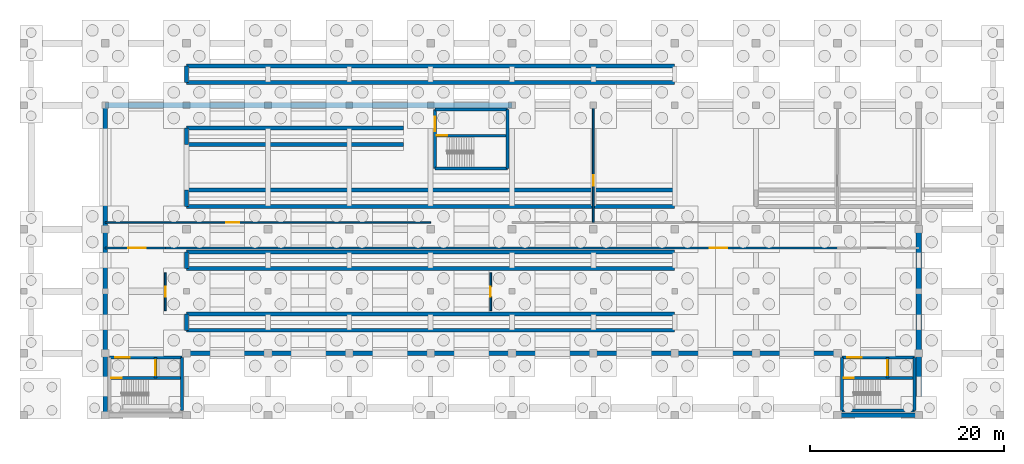
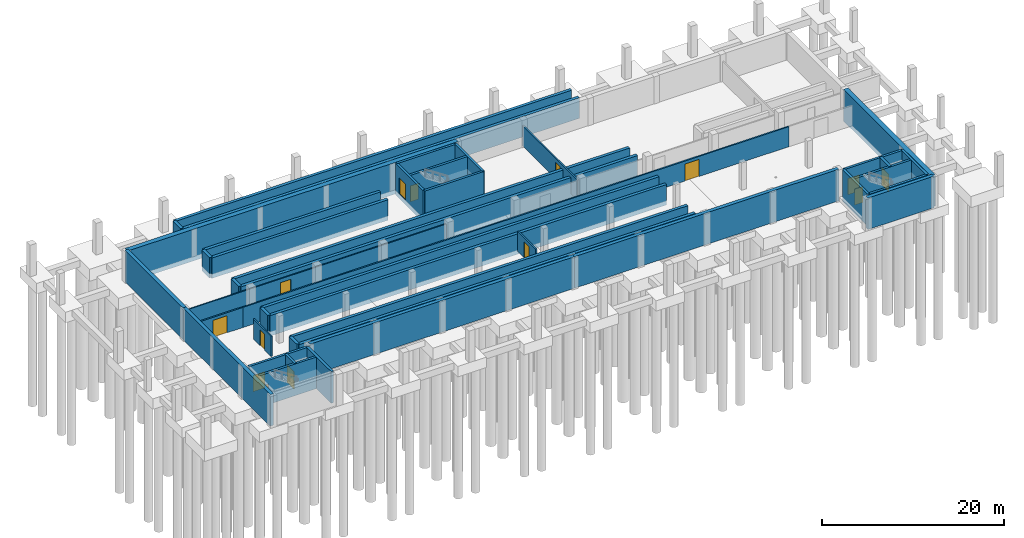
# One storey, part 5 of 9: 43 walls, 14 doors, 14 openings.
"""IFC4 building model written with IfcOpenShell, lengths in metres."""

import ifcopenshell
import ifcopenshell.guid

model = None  # the IFC model being written
_history = None  # IfcOwnerHistory: only IFC2X3 demands one
_inside = {}  # id of a spatial element -> (the spatial element, [elements in it])
_under = {}  # id of a project, library or spatial element -> (it, [spatial elements below it])
_declared = {}  # id of a project -> (the project, [libraries it declares])
_typed = {}  # id of a type object -> (the type object, [elements of that type])
_made_of = {}  # id of a material, layer set ... -> (it, [elements and type objects made of it])


def new_model(schema):
    """Start an empty IFC model of exactly this schema.

    Asked for "IFC4X3", IfcOpenShell would pick the latest addendum, in which some entities
    have other attributes; the version numbers below select the first issue.
    IFC2X3 requires an IfcOwnerHistory on every rooted entity: one is made here for all.
    """
    global model, _history
    if schema == "IFC4X3":
        model = ifcopenshell.file(schema_version=(4, 3, 0, 0))
    else:
        model = ifcopenshell.file(schema=schema)
    _inside.clear()
    _under.clear()
    _declared.clear()
    _typed.clear()
    _made_of.clear()
    _history = None
    if model.schema == "IFC2X3":
        org = make("IfcOrganization", Name="unknown")
        user = make(
            "IfcPersonAndOrganization",
            ThePerson=make("IfcPerson", FamilyName="unknown"),
            TheOrganization=org,
        )
        app = make(
            "IfcApplication",
            ApplicationDeveloper=org,
            Version="unknown",
            ApplicationFullName="unknown",
            ApplicationIdentifier="unknown",
        )
        _history = make(
            "IfcOwnerHistory",
            OwningUser=user,
            OwningApplication=app,
            ChangeAction="ADDED",
            CreationDate=0,
        )
    return model


def make(cls, **values):
    """One entity of the class cls with the attributes given. An attribute that is None is left unset."""
    return model.create_entity(
        cls, **{name: value for name, value in values.items() if value is not None}
    )


def rooted(cls, **values):
    """An entity with a GlobalId (a new one), such as an element, a storey or a relation."""
    return make(cls, GlobalId=ifcopenshell.guid.new(), OwnerHistory=_history, **values)


def si_unit(unit_type, name, prefix=None):
    """IfcSIUnit, for example si_unit("LENGTHUNIT", "METRE", prefix="MILLI")."""
    return make("IfcSIUnit", UnitType=unit_type, Prefix=prefix, Name=name)


def assignment(units):
    """IfcUnitAssignment: the units of a project."""
    return None if units is None else make("IfcUnitAssignment", Units=units)


def point(xyz):
    """IfcCartesianPoint."""
    return None if xyz is None else make("IfcCartesianPoint", Coordinates=xyz)


def direction(xyz):
    """IfcDirection."""
    return None if xyz is None else make("IfcDirection", DirectionRatios=xyz)


def frame(location, z_axis=None, x_axis=None):
    """IfcAxis2Placement3D, a coordinate frame: its origin and axes. An axis left out is left unset."""
    return make(
        "IfcAxis2Placement3D",
        Location=point(location),
        Axis=direction(z_axis),
        RefDirection=direction(x_axis),
    )


def frame_2d(location, x_axis=None):
    """IfcAxis2Placement2D, a coordinate frame in the plane: its origin and x axis."""
    return make(
        "IfcAxis2Placement2D", Location=point(location), RefDirection=direction(x_axis)
    )


def origin():
    """The frame at (0, 0, 0) with its axes left unset."""
    return frame((0.0, 0.0, 0.0))


def place(relative_to, where):
    """IfcLocalPlacement: puts the frame where relative to a parent placement (None: the world)."""
    return make(
        "IfcLocalPlacement", PlacementRelTo=relative_to, RelativePlacement=where
    )


def context(
    kind, dimensions, precision=None, world=None, true_north=None, identifier=None
):
    """IfcGeometricRepresentationContext, for example the 3D "Model" context."""
    return make(
        "IfcGeometricRepresentationContext",
        ContextIdentifier=identifier,
        ContextType=kind,
        CoordinateSpaceDimension=dimensions,
        Precision=precision,
        WorldCoordinateSystem=world,
        TrueNorth=true_north,
    )


def subcontext(parent, identifier, kind, view, scale=None):
    """IfcGeometricRepresentationSubContext, for example "Body" below "Model"."""
    return make(
        "IfcGeometricRepresentationSubContext",
        ContextIdentifier=identifier,
        ContextType=kind,
        ParentContext=parent,
        TargetScale=scale,
        TargetView=view,
    )


def project(units=None, contexts=None):
    """IfcProject with its units and contexts."""
    return rooted(
        "IfcProject",
        Name="project",
        RepresentationContexts=contexts,
        UnitsInContext=assignment(units),
    )


def spatial(cls, under=None, at=None, **own):
    """A site, building, storey or space (cls), placed at a placement, below another one or the project."""
    s = rooted(cls, ObjectPlacement=at, **own)
    if under is not None:
        _under.setdefault(under.id(), (under, []))[1].append(s)
    return s


def profile(cls, at=None, kind="AREA", **sizes):
    """A parametric profile (cls). Its sizes go by their IFC names, for example OverallWidth=200.0."""
    return make(cls, ProfileType=kind, Position=at, **sizes)


def rectangle(**sizes):
    """IfcRectangleProfileDef."""
    return profile("IfcRectangleProfileDef", **sizes)


def extrude(swept, where, along, depth):
    """IfcExtrudedAreaSolid: the profile swept, set in the frame where, extruded along a direction by depth."""
    return make(
        "IfcExtrudedAreaSolid",
        SweptArea=swept,
        Position=where,
        ExtrudedDirection=direction(along),
        Depth=depth,
    )


def shape(context_of_items, identifier, shape_type, items):
    """IfcShapeRepresentation: the items that make up one representation, for example the "Body"."""
    return make(
        "IfcShapeRepresentation",
        ContextOfItems=context_of_items,
        RepresentationIdentifier=identifier,
        RepresentationType=shape_type,
        Items=items,
    )


def material(Name=None, Category=None):
    """IfcMaterial."""
    return make("IfcMaterial", Name=Name, Category=Category)


def layer(
    of_material, thickness, ventilated=None, Name=None, Category=None, Priority=None
):
    """IfcMaterialLayer: one layer of a wall or slab, of a material (None: an air gap)."""
    return make(
        "IfcMaterialLayer",
        Material=of_material,
        LayerThickness=thickness,
        IsVentilated=ventilated,
        Name=Name,
        Category=Category,
        Priority=Priority,
    )


def layer_set(layers, Name=None):
    """IfcMaterialLayerSet."""
    return make("IfcMaterialLayerSet", MaterialLayers=layers, LayerSetName=Name)


def made_of(thing, what):
    """Note that an element or type object is made of a material, layer set ...; save() writes the relation."""
    if what is not None:
        _made_of.setdefault(what.id(), (what, []))[1].append(thing)
    return thing


def type_object(cls, material=None, **own):
    """A type object (cls), such as IfcWallType, which elements share."""
    return made_of(rooted(cls, **own), material)


def element(
    cls,
    number,
    at=None,
    inside=None,
    cuts=None,
    type_object=None,
    material=None,
    context=None,
    identifier="Body",
    shape_type=None,
    held_by="IfcProductDefinitionShape",
    body=None,
    shapes=None,
    **own,
):
    """One element of the class cls, such as IfcWall. Its Tag is "e" and its number.

    at: its placement. inside: the storey or other place that contains it. cuts: it is an
    opening in that element (IfcRelVoidsElement). A single representation is given by context,
    identifier, shape_type and body (its items); several are given by shapes. held_by: the class
    of the entity that holds the representations. save() writes the other relations.
    """
    e = rooted(cls, Tag="e%d" % number, ObjectPlacement=at, **own)
    if body is not None:
        shapes = [shape(context, identifier, shape_type, body)]
    if shapes is not None:
        e.Representation = make(held_by, Representations=shapes)
    if inside is not None:
        _inside.setdefault(inside.id(), (inside, []))[1].append(e)
    if cuts is not None:
        rooted(
            "IfcRelVoidsElement", RelatingBuildingElement=cuts, RelatedOpeningElement=e
        )
    if type_object is not None:
        _typed.setdefault(type_object.id(), (type_object, []))[1].append(e)
    return made_of(e, material)


def fill(opening, filler):
    """IfcRelFillsElement: the door or window that sits in an opening."""
    return rooted(
        "IfcRelFillsElement",
        RelatingOpeningElement=opening,
        RelatedBuildingElement=filler,
    )


def aggregate(whole, parts):
    """IfcRelAggregates: a whole, such as a stair, and the parts it consists of."""
    return rooted("IfcRelAggregates", RelatingObject=whole, RelatedObjects=parts)


def save(model, path):
    """Write the relations noted so far, then the file.

    IfcRelAggregates (storeys below a building ...), IfcRelContainedInSpatialStructure (elements
    in a storey), IfcRelDefinesByType, IfcRelAssociatesMaterial and IfcRelDeclares: one each for
    every whole, place, type object, material and project.
    """
    for whole, parts in _under.values():
        aggregate(whole, parts)
    for where, things in _inside.values():
        rooted(
            "IfcRelContainedInSpatialStructure",
            RelatedElements=things,
            RelatingStructure=where,
        )
    for kind, things in _typed.values():
        rooted("IfcRelDefinesByType", RelatedObjects=things, RelatingType=kind)
    for what, things in _made_of.values():
        rooted("IfcRelAssociatesMaterial", RelatedObjects=things, RelatingMaterial=what)
    for by, libraries in _declared.values():
        rooted("IfcRelDeclares", RelatingContext=by, RelatedDefinitions=libraries)
    model.write(path)


model = new_model("IFC4")

# Units and contexts
model_context = context("Model", 3, precision=1e-05, world=origin(), true_north=direction((0.0, 1.0)))
body_context = subcontext(model_context, "Body", "Model", "MODEL_VIEW")
ifc_project = project(units=[si_unit("LENGTHUNIT", "METRE"), si_unit("AREAUNIT", "SQUARE_METRE"), si_unit("VOLUMEUNIT", "CUBIC_METRE"), si_unit("PLANEANGLEUNIT", "RADIAN"), si_unit("MASSUNIT", "GRAM", prefix="KILO")], contexts=[model_context])

# Site, building, storey
site_placement = place(None, origin())
site = spatial("IfcSite", under=ifc_project, at=site_placement, CompositionType="ELEMENT")
building_placement = place(site_placement, origin())
building = spatial("IfcBuilding", under=site, at=building_placement, Name="Kazenagashi Tramway Depot", CompositionType="ELEMENT")
storey_placement = place(building_placement, frame((0.0, 0.0, -4.0)))
storey = spatial("IfcBuildingStorey", under=building, at=storey_placement, Name="B01", CompositionType="ELEMENT", Elevation=-4.0)

# Walls
ifc_material_1 = material(Name="Concrete Fc36", Category="concrete")
ifc_layer_1 = layer(ifc_material_1, 0.45)
ifc_layer_set_1 = layer_set([ifc_layer_1], Name="Concrete Fc36")
wall_type_1 = type_object("IfcWallType", Name="RW-01", PredefinedType="USERDEFINED", material=ifc_layer_set_1)
for number, where, z_axis, x_axis, name in (
    (1, (61.6, 22.9, -0.6), (0.0, 0.0, 1.0), (1.0, 0.0, 0.0), "Basement Retaining Wall RW-S1"),
    (2, (95.2, 22.9, -0.6), (0.0, 0.0, 1.0), (1.0, 0.0, 0.0), "Basement Retaining Wall RW-S2"),
):
    element("IfcWall", number, at=place(storey_placement, frame(where, z_axis=z_axis, x_axis=x_axis)), inside=storey, type_object=wall_type_1, Name=name, ObjectType="RETAININGWALL", PredefinedType="USERDEFINED", context=body_context, shape_type="SweptSolid", body=[
        extrude(rectangle(XDim=33.6, YDim=0.45, at=frame_2d((16.8, 0.0))), origin(), (0.0, 0.0, 1.0), 4.25),
    ])
wall_1_placement = place(storey_placement, frame((128.8, 16.5, -0.6), z_axis=(0.0, 0.0, 1.0), x_axis=(1.0, 0.0, 0.0)))
element("IfcWall", 3, at=wall_1_placement, inside=storey, type_object=wall_type_1, Name="Basement Retaining Wall RW-S0E", ObjectType="RETAININGWALL", PredefinedType="USERDEFINED", context=body_context, shape_type="SweptSolid", body=[
    extrude(rectangle(XDim=8.4, YDim=0.45, at=frame_2d((4.2, 0.0))), origin(), (0.0, 0.0, 1.0), 4.25),
])
wall_2_placement = place(storey_placement, frame((53.2, 16.5, -0.6), z_axis=(0.0, 0.0, 1.0), x_axis=(0.0, 1.0, 0.0)))
element("IfcWall", 4, at=wall_2_placement, inside=storey, type_object=wall_type_1, Name="Basement Retaining Wall RW-W1", ObjectType="RETAININGWALL", PredefinedType="USERDEFINED", context=body_context, shape_type="SweptSolid", body=[
    extrude(rectangle(XDim=19.2, YDim=0.45, at=frame_2d((9.6, 0.0))), origin(), (0.0, 0.0, 1.0), 4.25),
])
wall_3_placement = place(storey_placement, frame((53.2, 35.7, -0.6), z_axis=(0.0, 0.0, 1.0), x_axis=(0.0, 1.0, 0.0)))
element("IfcWall", 5, at=wall_3_placement, inside=storey, type_object=wall_type_1, Name="Basement Retaining Wall RW-W2", ObjectType="RETAININGWALL", PredefinedType="USERDEFINED", context=body_context, shape_type="SweptSolid", body=[
    extrude(rectangle(XDim=12.8, YDim=0.45, at=frame_2d((6.4, 0.0))), origin(), (0.0, 0.0, 1.0), 4.25),
])
ifc_layer_2 = layer(ifc_material_1, 0.6)
ifc_layer_set_2 = layer_set([ifc_layer_2], Name="Concrete Fc36")
wall_type_2 = type_object("IfcWallType", Name="RW-02", PredefinedType="USERDEFINED", material=ifc_layer_set_2)
wall_4_placement = place(storey_placement, frame((53.2, 48.5, -0.6), z_axis=(0.0, 0.0, 1.0), x_axis=(1.0, 0.0, 0.0)))
element("IfcWall", 6, at=wall_4_placement, inside=storey, type_object=wall_type_2, Name="Basement Retaining Wall RW-N1", ObjectType="RETAININGWALL", PredefinedType="USERDEFINED", context=body_context, shape_type="SweptSolid", body=[
    extrude(rectangle(XDim=42.0, YDim=0.6, at=frame_2d((21.0, 0.0))), origin(), (0.0, 0.0, 1.0), 4.25),
])
wall_5_placement = place(storey_placement, frame((137.2, 16.5, -0.6), z_axis=(0.0, 0.0, 1.0), x_axis=(0.0, 1.0, 0.0)))
element("IfcWall", 7, at=wall_5_placement, inside=storey, type_object=wall_type_2, Name="Basement Retaining Wall RW-E1", ObjectType="RETAININGWALL", PredefinedType="USERDEFINED", context=body_context, shape_type="SweptSolid", body=[
    extrude(rectangle(XDim=19.2, YDim=0.6, at=frame_2d((9.6, 0.0))), origin(), (0.0, 0.0, 1.0), 4.25),
])
ifc_layer_3 = layer(ifc_material_1, 0.38)
ifc_layer_set_3 = layer_set([ifc_layer_3], Name="Concrete Fc36")
wall_type_3 = type_object("IfcWallType", Name="RW-03", PredefinedType="USERDEFINED", material=ifc_layer_set_3)
for number, where, z_axis, x_axis, name in (
    (8, (61.6, 25.25, -0.6), (0.0, 0.0, 1.0), (1.0, 0.0, 0.0), "Tram Periodic Inspection Pit 1 Substructure Wall 1"),
    (9, (61.6, 26.95, -0.6), (0.0, 0.0, 1.0), (1.0, 0.0, 0.0), "Tram Periodic Inspection Pit 1 Substructure Wall 2"),
):
    element("IfcWall", number, at=place(storey_placement, frame(where, z_axis=z_axis, x_axis=x_axis)), inside=storey, type_object=wall_type_3, Name=name, ObjectType="RETAININGWALL", PredefinedType="USERDEFINED", context=body_context, shape_type="SweptSolid", body=[
        extrude(rectangle(XDim=50.4, YDim=0.38, at=frame_2d((25.2, 0.0))), origin(), (0.0, 0.0, 1.0), 2.75),
    ])
wall_6_placement = place(storey_placement, frame((61.6, 25.25, -0.6), z_axis=(0.0, 0.0, 1.0), x_axis=(0.0, 1.0, 0.0)))
element("IfcWall", 10, at=wall_6_placement, inside=storey, type_object=wall_type_3, Name="Tram Periodic Inspection Pit 1 Substructure End Wall", ObjectType="RETAININGWALL", PredefinedType="USERDEFINED", context=body_context, shape_type="SweptSolid", body=[
    extrude(rectangle(XDim=1.7, YDim=0.38, at=frame_2d((0.85, 0.0))), origin(), (0.0, 0.0, 1.0), 2.75),
])
for number, where, z_axis, x_axis, name in (
    (11, (61.6, 31.65, -0.6), (0.0, 0.0, 1.0), (1.0, 0.0, 0.0), "Tram Periodic Inspection Pit 2 Substructure Wall 1"),
    (12, (61.6, 33.35, -0.6), (0.0, 0.0, 1.0), (1.0, 0.0, 0.0), "Tram Periodic Inspection Pit 2 Substructure Wall 2"),
):
    element("IfcWall", number, at=place(storey_placement, frame(where, z_axis=z_axis, x_axis=x_axis)), inside=storey, type_object=wall_type_3, Name=name, ObjectType="RETAININGWALL", PredefinedType="USERDEFINED", context=body_context, shape_type="SweptSolid", body=[
        extrude(rectangle(XDim=50.4, YDim=0.38, at=frame_2d((25.2, 0.0))), origin(), (0.0, 0.0, 1.0), 2.75),
    ])
wall_7_placement = place(storey_placement, frame((61.6, 31.65, -0.6), z_axis=(0.0, 0.0, 1.0), x_axis=(0.0, 1.0, 0.0)))
element("IfcWall", 13, at=wall_7_placement, inside=storey, type_object=wall_type_3, Name="Tram Periodic Inspection Pit 2 Substructure End Wall", ObjectType="RETAININGWALL", PredefinedType="USERDEFINED", context=body_context, shape_type="SweptSolid", body=[
    extrude(rectangle(XDim=1.7, YDim=0.38, at=frame_2d((0.85, 0.0))), origin(), (0.0, 0.0, 1.0), 2.75),
])
for number, where, z_axis, x_axis, name in (
    (14, (61.6, 38.05, -0.6), (0.0, 0.0, 1.0), (1.0, 0.0, 0.0), "Tram Periodic Inspection Pit 3 Substructure Wall 1"),
    (15, (61.6, 39.75, -0.6), (0.0, 0.0, 1.0), (1.0, 0.0, 0.0), "Tram Periodic Inspection Pit 3 Substructure Wall 2"),
):
    element("IfcWall", number, at=place(storey_placement, frame(where, z_axis=z_axis, x_axis=x_axis)), inside=storey, type_object=wall_type_3, Name=name, ObjectType="RETAININGWALL", PredefinedType="USERDEFINED", context=body_context, shape_type="SweptSolid", body=[
        extrude(rectangle(XDim=50.4, YDim=0.38, at=frame_2d((25.2, 0.0))), origin(), (0.0, 0.0, 1.0), 2.75),
    ])
wall_8_placement = place(storey_placement, frame((61.6, 38.05, -0.6), z_axis=(0.0, 0.0, 1.0), x_axis=(0.0, 1.0, 0.0)))
element("IfcWall", 16, at=wall_8_placement, inside=storey, type_object=wall_type_3, Name="Tram Periodic Inspection Pit 3 Substructure End Wall", ObjectType="RETAININGWALL", PredefinedType="USERDEFINED", context=body_context, shape_type="SweptSolid", body=[
    extrude(rectangle(XDim=1.7, YDim=0.38, at=frame_2d((0.85, 0.0))), origin(), (0.0, 0.0, 1.0), 2.75),
])
for number, where, z_axis, x_axis, name in (
    (17, (61.6, 44.45, -0.6), (0.0, 0.0, 1.0), (1.0, 0.0, 0.0), "Tram Periodic Inspection Pit 4 Substructure Wall 1"),
    (18, (61.6, 46.15, -0.6), (0.0, 0.0, 1.0), (1.0, 0.0, 0.0), "Tram Periodic Inspection Pit 4 Substructure Wall 2"),
):
    element("IfcWall", number, at=place(storey_placement, frame(where, z_axis=z_axis, x_axis=x_axis)), inside=storey, type_object=wall_type_3, Name=name, ObjectType="RETAININGWALL", PredefinedType="USERDEFINED", context=body_context, shape_type="SweptSolid", body=[
        extrude(rectangle(XDim=22.4, YDim=0.38, at=frame_2d((11.2, 0.0))), origin(), (0.0, 0.0, 1.0), 2.75),
    ])
wall_9_placement = place(storey_placement, frame((61.6, 44.45, -0.6), z_axis=(0.0, 0.0, 1.0), x_axis=(0.0, 1.0, 0.0)))
element("IfcWall", 19, at=wall_9_placement, inside=storey, type_object=wall_type_3, Name="Tram Periodic Inspection Pit 4 Substructure End Wall", ObjectType="RETAININGWALL", PredefinedType="USERDEFINED", context=body_context, shape_type="SweptSolid", body=[
    extrude(rectangle(XDim=1.7, YDim=0.38, at=frame_2d((0.85, 0.0))), origin(), (0.0, 0.0, 1.0), 2.75),
])
for number, where, z_axis, x_axis, name in (
    (20, (61.6, 50.85, -0.6), (0.0, 0.0, 1.0), (1.0, 0.0, 0.0), "Tram Periodic Inspection Pit 5 Substructure Wall 1"),
    (21, (61.6, 52.55, -0.6), (0.0, 0.0, 1.0), (1.0, 0.0, 0.0), "Tram Periodic Inspection Pit 5 Substructure Wall 2"),
):
    element("IfcWall", number, at=place(storey_placement, frame(where, z_axis=z_axis, x_axis=x_axis)), inside=storey, type_object=wall_type_3, Name=name, ObjectType="RETAININGWALL", PredefinedType="USERDEFINED", context=body_context, shape_type="SweptSolid", body=[
        extrude(rectangle(XDim=50.4, YDim=0.38, at=frame_2d((25.2, 0.0))), origin(), (0.0, 0.0, 1.0), 2.75),
    ])
wall_10_placement = place(storey_placement, frame((61.6, 50.85, -0.6), z_axis=(0.0, 0.0, 1.0), x_axis=(0.0, 1.0, 0.0)))
element("IfcWall", 22, at=wall_10_placement, inside=storey, type_object=wall_type_3, Name="Tram Periodic Inspection Pit 5 Substructure End Wall", ObjectType="RETAININGWALL", PredefinedType="USERDEFINED", context=body_context, shape_type="SweptSolid", body=[
    extrude(rectangle(XDim=1.7, YDim=0.38, at=frame_2d((0.85, 0.0))), origin(), (0.0, 0.0, 1.0), 2.75),
])

# Wall, opening, door
ifc_material_2 = material(Name="Gypsum Plasterboard Partition", Category="gypsum")
ifc_layer_4 = layer(ifc_material_2, 0.15)
ifc_layer_set_4 = layer_set([ifc_layer_4], Name="Gypsum Plasterboard Partition")
wall_type_4 = type_object("IfcWallType", Name="W-PT1", PredefinedType="PARTITIONING", material=ifc_layer_set_4)
wall_11_placement = place(storey_placement, frame((53.2, 36.4, 0.0), z_axis=(0.0, 0.0, 1.0), x_axis=(1.0, 0.0, 0.0)))
wall_11 = element("IfcWall", 23, at=wall_11_placement, inside=storey, type_object=wall_type_4, Name="Interior Partition W-PT1 IWALL-0242", PredefinedType="PARTITIONING", context=body_context, shape_type="SweptSolid", body=[
    extrude(rectangle(XDim=33.6, YDim=0.15, at=frame_2d((16.8, 0.0))), origin(), (0.0, 0.0, 1.0), 2.7),
])
opening_1_placement = place(wall_11_placement, frame((12.5, 0.0, 0.0)))
opening_1 = element("IfcOpeningElement", 24, at=opening_1_placement, cuts=wall_11, Name="Opening D-135", PredefinedType="OPENING", context=body_context, shape_type="SweptSolid", body=[
    extrude(rectangle(XDim=1.35, YDim=2.2, at=frame_2d((0.675, 1.1))), frame((0.0, 0.085, 0.0), z_axis=(0.0, -1.0, 0.0), x_axis=(1.0, 0.0, 0.0)), (0.0, 0.0, 1.0), 0.17),
])
ifc_material_3 = material(Name="Powder-Coated Steel Door", Category="steel")
door_type_1 = type_object("IfcDoorType", Name="DT-15", OperationType="NOTDEFINED", PredefinedType="DOOR", material=ifc_material_3)
door_1_placement = place(opening_1_placement, origin())
door_1 = element("IfcDoor", 25, at=door_1_placement, inside=storey, type_object=door_type_1, Name="Interior Door D-135", OperationType="DOUBLE_DOOR_SINGLE_SWING", OverallHeight=2.2, OverallWidth=1.35, PredefinedType="DOOR", context=body_context, shape_type="SweptSolid", body=[
    extrude(rectangle(XDim=1.35, YDim=2.2, at=frame_2d((0.675, 1.1))), frame((0.0, 0.025, 0.0), z_axis=(0.0, -1.0, 0.0), x_axis=(1.0, 0.0, 0.0)), (0.0, 0.0, 1.0), 0.05),
])
fill(opening_1, door_1)

ifc_layer_5 = layer(ifc_material_2, 0.18)
ifc_layer_set_5 = layer_set([ifc_layer_5], Name="Gypsum Plasterboard Partition")
wall_type_5 = type_object("IfcWallType", Name="W-PT4", PredefinedType="PARTITIONING", material=ifc_layer_set_5)
wall_12_placement = place(storey_placement, frame((53.2, 33.75, 0.0), z_axis=(0.0, 0.0, 1.0), x_axis=(1.0, 0.0, 0.0)))
wall_12 = element("IfcWall", 26, at=wall_12_placement, inside=storey, type_object=wall_type_5, Name="Interior Partition W-PT4 IWALL-0237", PredefinedType="PARTITIONING", context=body_context, shape_type="SweptSolid", body=[
    extrude(rectangle(XDim=6.2, YDim=0.18, at=frame_2d((3.1, 0.0))), origin(), (0.0, 0.0, 1.0), 2.7),
])
opening_2_placement = place(wall_12_placement, frame((2.4, 0.0, 0.0)))
opening_2 = element("IfcOpeningElement", 27, at=opening_2_placement, cuts=wall_12, Name="Opening D-130", PredefinedType="OPENING", context=body_context, shape_type="SweptSolid", body=[
    extrude(rectangle(XDim=1.8, YDim=2.3, at=frame_2d((0.9, 1.15))), frame((0.0, 0.1, 0.0), z_axis=(0.0, -1.0, 0.0), x_axis=(1.0, 0.0, 0.0)), (0.0, 0.0, 1.0), 0.2),
])
ifc_material_4 = material(Name="Galvanised Fire-Rated Steel Door", Category="steel")
door_type_2 = type_object("IfcDoorType", Name="DT-08", OperationType="NOTDEFINED", PredefinedType="DOOR", material=ifc_material_4)
door_2_placement = place(opening_2_placement, origin())
door_2 = element("IfcDoor", 28, at=door_2_placement, inside=storey, type_object=door_type_2, Name="Interior Door D-130", OperationType="DOUBLE_DOOR_SINGLE_SWING", OverallHeight=2.3, OverallWidth=1.8, PredefinedType="DOOR", context=body_context, shape_type="SweptSolid", body=[
    extrude(rectangle(XDim=1.8, YDim=2.3, at=frame_2d((0.9, 1.15))), frame((0.0, 0.025, 0.0), z_axis=(0.0, -1.0, 0.0), x_axis=(1.0, 0.0, 0.0)), (0.0, 0.0, 1.0), 0.05),
])
fill(opening_2, door_2)

wall_13_placement = place(storey_placement, frame((59.4, 33.75, 0.0), z_axis=(0.0, 0.0, 1.0), x_axis=(1.0, 0.0, 0.0)))
wall_13 = element("IfcWall", 29, at=wall_13_placement, inside=storey, type_object=wall_type_5, Name="Interior Partition W-PT4 IWALL-0238", PredefinedType="PARTITIONING", context=body_context, shape_type="SweptSolid", body=[
    extrude(rectangle(XDim=69.4, YDim=0.18, at=frame_2d((34.7, 0.0))), origin(), (0.0, 0.0, 1.0), 2.7),
])
opening_3_placement = place(wall_13_placement, frame((56.2, 0.0, 0.0)))
opening_3 = element("IfcOpeningElement", 30, at=opening_3_placement, cuts=wall_13, Name="Opening D-131", PredefinedType="OPENING", context=body_context, shape_type="SweptSolid", body=[
    extrude(rectangle(XDim=1.8, YDim=2.3, at=frame_2d((0.9, 1.15))), frame((0.0, 0.1, 0.0), z_axis=(0.0, -1.0, 0.0), x_axis=(1.0, 0.0, 0.0)), (0.0, 0.0, 1.0), 0.2),
])
door_3_placement = place(opening_3_placement, origin())
door_3 = element("IfcDoor", 31, at=door_3_placement, inside=storey, type_object=door_type_2, Name="Interior Door D-131", OperationType="DOUBLE_DOOR_SINGLE_SWING", OverallHeight=2.3, OverallWidth=1.8, PredefinedType="DOOR", context=body_context, shape_type="SweptSolid", body=[
    extrude(rectangle(XDim=1.8, YDim=2.3, at=frame_2d((0.9, 1.15))), frame((0.0, 0.025, 0.0), z_axis=(0.0, -1.0, 0.0), x_axis=(1.0, 0.0, 0.0)), (0.0, 0.0, 1.0), 0.05),
])
fill(opening_3, door_3)

wall_14_placement = place(storey_placement, frame((59.4, 27.3, 0.0), z_axis=(0.0, 0.0, 1.0), x_axis=(0.0, 1.0, 0.0)))
wall_14 = element("IfcWall", 32, at=wall_14_placement, inside=storey, type_object=wall_type_5, Name="Interior Partition W-PT4 IWALL-0240", PredefinedType="PARTITIONING", context=body_context, shape_type="SweptSolid", body=[
    extrude(rectangle(XDim=3.9, YDim=0.18, at=frame_2d((1.95, 0.0))), origin(), (0.0, 0.0, 1.0), 2.7),
])
opening_4_placement = place(wall_14_placement, frame((1.4, 0.0, 0.0)))
opening_4 = element("IfcOpeningElement", 33, at=opening_4_placement, cuts=wall_14, Name="Opening D-133", PredefinedType="OPENING", context=body_context, shape_type="SweptSolid", body=[
    extrude(rectangle(XDim=1.05, YDim=2.15, at=frame_2d((0.525, 1.075))), frame((0.0, 0.1, 0.0), z_axis=(0.0, -1.0, 0.0), x_axis=(1.0, 0.0, 0.0)), (0.0, 0.0, 1.0), 0.2),
])
door_type_3 = type_object("IfcDoorType", Name="DT-07", OperationType="NOTDEFINED", PredefinedType="DOOR", material=ifc_material_4)
door_4_placement = place(opening_4_placement, origin())
door_4 = element("IfcDoor", 34, at=door_4_placement, inside=storey, type_object=door_type_3, Name="Interior Door D-133", OperationType="SINGLE_SWING_RIGHT", OverallHeight=2.15, OverallWidth=1.05, PredefinedType="DOOR", context=body_context, shape_type="SweptSolid", body=[
    extrude(rectangle(XDim=1.05, YDim=2.15, at=frame_2d((0.525, 1.075))), frame((0.0, 0.025, 0.0), z_axis=(0.0, -1.0, 0.0), x_axis=(1.0, 0.0, 0.0)), (0.0, 0.0, 1.0), 0.05),
])
fill(opening_4, door_4)

wall_15_placement = place(storey_placement, frame((93.0, 27.3, 0.0), z_axis=(0.0, 0.0, 1.0), x_axis=(0.0, 1.0, 0.0)))
wall_15 = element("IfcWall", 35, at=wall_15_placement, inside=storey, type_object=wall_type_5, Name="Interior Partition W-PT4 IWALL-0241", PredefinedType="PARTITIONING", context=body_context, shape_type="SweptSolid", body=[
    extrude(rectangle(XDim=3.9, YDim=0.18, at=frame_2d((1.95, 0.0))), origin(), (0.0, 0.0, 1.0), 2.7),
])
opening_5_placement = place(wall_15_placement, frame((1.4, 0.0, 0.0)))
opening_5 = element("IfcOpeningElement", 36, at=opening_5_placement, cuts=wall_15, Name="Opening D-134", PredefinedType="OPENING", context=body_context, shape_type="SweptSolid", body=[
    extrude(rectangle(XDim=1.05, YDim=2.15, at=frame_2d((0.525, 1.075))), frame((0.0, 0.1, 0.0), z_axis=(0.0, -1.0, 0.0), x_axis=(1.0, 0.0, 0.0)), (0.0, 0.0, 1.0), 0.2),
])
door_5_placement = place(opening_5_placement, origin())
door_5 = element("IfcDoor", 37, at=door_5_placement, inside=storey, type_object=door_type_3, Name="Interior Door D-134", OperationType="SINGLE_SWING_LEFT", OverallHeight=2.15, OverallWidth=1.05, PredefinedType="DOOR", context=body_context, shape_type="SweptSolid", body=[
    extrude(rectangle(XDim=1.05, YDim=2.15, at=frame_2d((0.525, 1.075))), frame((0.0, 0.025, 0.0), z_axis=(0.0, -1.0, 0.0), x_axis=(1.0, 0.0, 0.0)), (0.0, 0.0, 1.0), 0.05),
])
fill(opening_5, door_5)

wall_16_placement = place(storey_placement, frame((103.6, 36.4, 0.0), z_axis=(0.0, 0.0, 1.0), x_axis=(0.0, 1.0, 0.0)))
wall_16 = element("IfcWall", 38, at=wall_16_placement, inside=storey, type_object=wall_type_5, Name="Interior Partition W-PT4 IWALL-0244", PredefinedType="PARTITIONING", context=body_context, shape_type="SweptSolid", body=[
    extrude(rectangle(XDim=12.1, YDim=0.18, at=frame_2d((6.05, 0.0))), origin(), (0.0, 0.0, 1.0), 2.7),
])
opening_6_placement = place(wall_16_placement, frame((3.8, 0.0, 0.0)))
opening_6 = element("IfcOpeningElement", 39, at=opening_6_placement, cuts=wall_16, Name="Opening D-139", PredefinedType="OPENING", context=body_context, shape_type="SweptSolid", body=[
    extrude(rectangle(XDim=1.05, YDim=2.15, at=frame_2d((0.525, 1.075))), frame((0.0, 0.1, 0.0), z_axis=(0.0, -1.0, 0.0), x_axis=(1.0, 0.0, 0.0)), (0.0, 0.0, 1.0), 0.2),
])
door_6_placement = place(opening_6_placement, origin())
door_6 = element("IfcDoor", 40, at=door_6_placement, inside=storey, type_object=door_type_3, Name="Interior Door D-139", OperationType="SINGLE_SWING_RIGHT", OverallHeight=2.15, OverallWidth=1.05, PredefinedType="DOOR", context=body_context, shape_type="SweptSolid", body=[
    extrude(rectangle(XDim=1.05, YDim=2.15, at=frame_2d((0.525, 1.075))), frame((0.0, 0.025, 0.0), z_axis=(0.0, -1.0, 0.0), x_axis=(1.0, 0.0, 0.0)), (0.0, 0.0, 1.0), 0.05),
])
fill(opening_6, door_6)

ifc_layer_6 = layer(ifc_material_1, 0.3)
ifc_layer_set_6 = layer_set([ifc_layer_6], Name="Concrete Fc36")
wall_type_6 = type_object("IfcWallType", Name="W-RC1", PredefinedType="SHEAR", material=ifc_layer_set_6)
wall_17_placement = place(storey_placement, frame((53.66, 22.44, -0.6), z_axis=(0.0, 0.0, 1.0), x_axis=(1.0, 0.0, 0.0)))
wall_17 = element("IfcWall", 41, at=wall_17_placement, inside=storey, type_object=wall_type_6, Name="Core Shear Wall W-RC1 IWALL-0124", PredefinedType="SHEAR", context=body_context, shape_type="SweptSolid", body=[
    extrude(rectangle(XDim=7.48, YDim=0.3, at=frame_2d((3.74, 0.0))), origin(), (0.0, 0.0, 1.0), 4.25),
])
opening_7_placement = place(wall_17_placement, frame((0.55, 0.0, 0.6)))
opening_7 = element("IfcOpeningElement", 42, at=opening_7_placement, cuts=wall_17, Name="Opening D-090", PredefinedType="OPENING", context=body_context, shape_type="SweptSolid", body=[
    extrude(rectangle(XDim=1.5, YDim=2.2, at=frame_2d((0.75, 1.1))), frame((0.0, 0.16, 0.0), z_axis=(0.0, -1.0, 0.0), x_axis=(1.0, 0.0, 0.0)), (0.0, 0.0, 1.0), 0.32),
])
door_type_4 = type_object("IfcDoorType", Name="DT-05", OperationType="NOTDEFINED", PredefinedType="DOOR", material=ifc_material_4)
door_7_placement = place(opening_7_placement, origin())
door_7 = element("IfcDoor", 43, at=door_7_placement, inside=storey, type_object=door_type_4, Name="Interior Door D-090", OperationType="DOUBLE_DOOR_SINGLE_SWING", OverallHeight=2.2, OverallWidth=1.5, PredefinedType="DOOR", context=body_context, shape_type="SweptSolid", body=[
    extrude(rectangle(XDim=1.5, YDim=2.2, at=frame_2d((0.75, 1.1))), frame((0.0, 0.025, 0.0), z_axis=(0.0, -1.0, 0.0), x_axis=(1.0, 0.0, 0.0)), (0.0, 0.0, 1.0), 0.05),
])
fill(opening_7, door_7)

# Wall
wall_18_placement = place(storey_placement, frame((61.14, 16.96, -0.6), z_axis=(0.0, 0.0, 1.0), x_axis=(0.0, 1.0, 0.0)))
element("IfcWall", 44, at=wall_18_placement, inside=storey, type_object=wall_type_6, Name="Core Shear Wall W-RC1 IWALL-0126", PredefinedType="SHEAR", context=body_context, shape_type="SweptSolid", body=[
    extrude(rectangle(XDim=5.48, YDim=0.3, at=frame_2d((2.74, 0.0))), origin(), (0.0, 0.0, 1.0), 4.25),
])

# Wall, opening, door
wall_19_placement = place(storey_placement, frame((53.66, 20.35, -0.6), z_axis=(0.0, 0.0, 1.0), x_axis=(1.0, 0.0, 0.0)))
wall_19 = element("IfcWall", 45, at=wall_19_placement, inside=storey, type_object=wall_type_6, Name="Core Shear Wall W-RC1 IWALL-0127", PredefinedType="SHEAR", context=body_context, shape_type="SweptSolid", body=[
    extrude(rectangle(XDim=7.48, YDim=0.3, at=frame_2d((3.74, 0.0))), origin(), (0.0, 0.0, 1.0), 4.25),
])
opening_8_placement = place(wall_19_placement, frame((0.185, 0.0, 0.6)))
opening_8 = element("IfcOpeningElement", 46, at=opening_8_placement, cuts=wall_19, Name="Opening D-089", PredefinedType="OPENING", context=body_context, shape_type="SweptSolid", body=[
    extrude(rectangle(XDim=1.05, YDim=2.15, at=frame_2d((0.525, 1.075))), frame((0.0, 0.16, 0.0), z_axis=(0.0, -1.0, 0.0), x_axis=(1.0, 0.0, 0.0)), (0.0, 0.0, 1.0), 0.32),
])
door_8_placement = place(opening_8_placement, origin())
door_8 = element("IfcDoor", 47, at=door_8_placement, inside=storey, type_object=door_type_3, Name="Interior Door D-089", OperationType="SINGLE_SWING_RIGHT", OverallHeight=2.15, OverallWidth=1.05, PredefinedType="DOOR", context=body_context, shape_type="SweptSolid", body=[
    extrude(rectangle(XDim=1.05, YDim=2.15, at=frame_2d((0.525, 1.075))), frame((0.0, 0.025, 0.0), z_axis=(0.0, -1.0, 0.0), x_axis=(1.0, 0.0, 0.0)), (0.0, 0.0, 1.0), 0.05),
])
fill(opening_8, door_8)

wall_20_placement = place(storey_placement, frame((58.39, 20.35, -0.6), z_axis=(0.0, 0.0, 1.0), x_axis=(0.0, 1.0, 0.0)))
wall_20 = element("IfcWall", 48, at=wall_20_placement, inside=storey, type_object=wall_type_6, Name="Core Shear Wall W-RC1 IWALL-0128", PredefinedType="SHEAR", context=body_context, shape_type="SweptSolid", body=[
    extrude(rectangle(XDim=2.09, YDim=0.3, at=frame_2d((1.045, 0.0))), origin(), (0.0, 0.0, 1.0), 4.25),
])
opening_9_placement = place(wall_20_placement, frame((0.27, 0.0, 0.6)))
opening_9 = element("IfcOpeningElement", 49, at=opening_9_placement, cuts=wall_20, Name="Opening LD-16", PredefinedType="OPENING", context=body_context, shape_type="SweptSolid", body=[
    extrude(rectangle(XDim=1.55, YDim=2.35, at=frame_2d((0.775, 1.175))), frame((0.0, 0.16, 0.0), z_axis=(0.0, -1.0, 0.0), x_axis=(1.0, 0.0, 0.0)), (0.0, 0.0, 1.0), 0.32),
])
ifc_material_5 = material(Name="Heavy-Duty Freight Lift Landing Door")
door_type_5 = type_object("IfcDoorType", Name="DT-31", OperationType="NOTDEFINED", PredefinedType="DOOR", material=ifc_material_5)
door_9_placement = place(opening_9_placement, origin())
door_9 = element("IfcDoor", 50, at=door_9_placement, inside=storey, type_object=door_type_5, Name="Lift Sliding Landing Door LD-16", OperationType="SLIDING_TO_RIGHT", OverallHeight=2.35, OverallWidth=1.55, PredefinedType="DOOR", context=body_context, shape_type="SweptSolid", body=[
    extrude(rectangle(XDim=1.55, YDim=2.35, at=frame_2d((0.775, 1.175))), frame((0.0, 0.025, 0.0), z_axis=(0.0, -1.0, 0.0), x_axis=(1.0, 0.0, 0.0)), (0.0, 0.0, 1.0), 0.05),
])
fill(opening_9, door_9)

# Wall
wall_21_placement = place(storey_placement, frame((129.26, 16.96, -0.6), z_axis=(0.0, 0.0, 1.0), x_axis=(1.0, 0.0, 0.0)))
element("IfcWall", 51, at=wall_21_placement, inside=storey, type_object=wall_type_6, Name="Core Shear Wall W-RC1 IWALL-0147", PredefinedType="SHEAR", context=body_context, shape_type="SweptSolid", body=[
    extrude(rectangle(XDim=7.48, YDim=0.3, at=frame_2d((3.74, 0.0))), origin(), (0.0, 0.0, 1.0), 4.25),
])

# Wall, opening, door
wall_22_placement = place(storey_placement, frame((129.26, 22.44, -0.6), z_axis=(0.0, 0.0, 1.0), x_axis=(1.0, 0.0, 0.0)))
wall_22 = element("IfcWall", 52, at=wall_22_placement, inside=storey, type_object=wall_type_6, Name="Core Shear Wall W-RC1 IWALL-0148", PredefinedType="SHEAR", context=body_context, shape_type="SweptSolid", body=[
    extrude(rectangle(XDim=7.48, YDim=0.3, at=frame_2d((3.74, 0.0))), origin(), (0.0, 0.0, 1.0), 4.25),
])
opening_10_placement = place(wall_22_placement, frame((0.55, 0.0, 0.6)))
opening_10 = element("IfcOpeningElement", 53, at=opening_10_placement, cuts=wall_22, Name="Opening D-099", PredefinedType="OPENING", context=body_context, shape_type="SweptSolid", body=[
    extrude(rectangle(XDim=1.5, YDim=2.2, at=frame_2d((0.75, 1.1))), frame((0.0, 0.16, 0.0), z_axis=(0.0, -1.0, 0.0), x_axis=(1.0, 0.0, 0.0)), (0.0, 0.0, 1.0), 0.32),
])
door_10_placement = place(opening_10_placement, origin())
door_10 = element("IfcDoor", 54, at=door_10_placement, inside=storey, type_object=door_type_4, Name="Interior Door D-099", OperationType="DOUBLE_DOOR_SINGLE_SWING", OverallHeight=2.2, OverallWidth=1.5, PredefinedType="DOOR", context=body_context, shape_type="SweptSolid", body=[
    extrude(rectangle(XDim=1.5, YDim=2.2, at=frame_2d((0.75, 1.1))), frame((0.0, 0.025, 0.0), z_axis=(0.0, -1.0, 0.0), x_axis=(1.0, 0.0, 0.0)), (0.0, 0.0, 1.0), 0.05),
])
fill(opening_10, door_10)

# Walls
for number, where, z_axis, x_axis, name in (
    (55, (129.26, 16.96, -0.6), (0.0, 0.0, 1.0), (0.0, 1.0, 0.0), "Core Shear Wall W-RC1 IWALL-0149"),
    (56, (136.74, 16.96, -0.6), (0.0, 0.0, 1.0), (0.0, 1.0, 0.0), "Core Shear Wall W-RC1 IWALL-0150"),
):
    element("IfcWall", number, at=place(storey_placement, frame(where, z_axis=z_axis, x_axis=x_axis)), inside=storey, type_object=wall_type_6, Name=name, PredefinedType="SHEAR", context=body_context, shape_type="SweptSolid", body=[
        extrude(rectangle(XDim=5.48, YDim=0.3, at=frame_2d((2.74, 0.0))), origin(), (0.0, 0.0, 1.0), 4.25),
    ])

# Wall, opening, door
wall_23_placement = place(storey_placement, frame((129.26, 20.35, -0.6), z_axis=(0.0, 0.0, 1.0), x_axis=(1.0, 0.0, 0.0)))
wall_23 = element("IfcWall", 57, at=wall_23_placement, inside=storey, type_object=wall_type_6, Name="Core Shear Wall W-RC1 IWALL-0151", PredefinedType="SHEAR", context=body_context, shape_type="SweptSolid", body=[
    extrude(rectangle(XDim=7.48, YDim=0.3, at=frame_2d((3.74, 0.0))), origin(), (0.0, 0.0, 1.0), 4.25),
])
opening_11_placement = place(wall_23_placement, frame((0.185, 0.0, 0.6)))
opening_11 = element("IfcOpeningElement", 58, at=opening_11_placement, cuts=wall_23, Name="Opening D-098", PredefinedType="OPENING", context=body_context, shape_type="SweptSolid", body=[
    extrude(rectangle(XDim=1.05, YDim=2.15, at=frame_2d((0.525, 1.075))), frame((0.0, 0.16, 0.0), z_axis=(0.0, -1.0, 0.0), x_axis=(1.0, 0.0, 0.0)), (0.0, 0.0, 1.0), 0.32),
])
door_11_placement = place(opening_11_placement, origin())
door_11 = element("IfcDoor", 59, at=door_11_placement, inside=storey, type_object=door_type_3, Name="Interior Door D-098", OperationType="SINGLE_SWING_LEFT", OverallHeight=2.15, OverallWidth=1.05, PredefinedType="DOOR", context=body_context, shape_type="SweptSolid", body=[
    extrude(rectangle(XDim=1.05, YDim=2.15, at=frame_2d((0.525, 1.075))), frame((0.0, 0.025, 0.0), z_axis=(0.0, -1.0, 0.0), x_axis=(1.0, 0.0, 0.0)), (0.0, 0.0, 1.0), 0.05),
])
fill(opening_11, door_11)

wall_24_placement = place(storey_placement, frame((133.99, 20.35, -0.6), z_axis=(0.0, 0.0, 1.0), x_axis=(0.0, 1.0, 0.0)))
wall_24 = element("IfcWall", 60, at=wall_24_placement, inside=storey, type_object=wall_type_6, Name="Core Shear Wall W-RC1 IWALL-0152", PredefinedType="SHEAR", context=body_context, shape_type="SweptSolid", body=[
    extrude(rectangle(XDim=2.09, YDim=0.3, at=frame_2d((1.045, 0.0))), origin(), (0.0, 0.0, 1.0), 4.25),
])
opening_12_placement = place(wall_24_placement, frame((0.27, 0.0, 0.6)))
opening_12 = element("IfcOpeningElement", 61, at=opening_12_placement, cuts=wall_24, Name="Opening LD-20", PredefinedType="OPENING", context=body_context, shape_type="SweptSolid", body=[
    extrude(rectangle(XDim=1.55, YDim=2.35, at=frame_2d((0.775, 1.175))), frame((0.0, 0.16, 0.0), z_axis=(0.0, -1.0, 0.0), x_axis=(1.0, 0.0, 0.0)), (0.0, 0.0, 1.0), 0.32),
])
door_12_placement = place(opening_12_placement, origin())
door_12 = element("IfcDoor", 62, at=door_12_placement, inside=storey, type_object=door_type_5, Name="Lift Sliding Landing Door LD-20", OperationType="SLIDING_TO_RIGHT", OverallHeight=2.35, OverallWidth=1.55, PredefinedType="DOOR", context=body_context, shape_type="SweptSolid", body=[
    extrude(rectangle(XDim=1.55, YDim=2.35, at=frame_2d((0.775, 1.175))), frame((0.0, 0.025, 0.0), z_axis=(0.0, -1.0, 0.0), x_axis=(1.0, 0.0, 0.0)), (0.0, 0.0, 1.0), 0.05),
])
fill(opening_12, door_12)

# Walls
for number, where, z_axis, x_axis, name in (
    (63, (87.26, 41.96, -0.6), (0.0, 0.0, 1.0), (1.0, 0.0, 0.0), "Core Shear Wall W-RC1 IWALL-0171"),
    (64, (87.26, 48.04, -0.6), (0.0, 0.0, 1.0), (1.0, 0.0, 0.0), "Core Shear Wall W-RC1 IWALL-0172"),
):
    element("IfcWall", number, at=place(storey_placement, frame(where, z_axis=z_axis, x_axis=x_axis)), inside=storey, type_object=wall_type_6, Name=name, PredefinedType="SHEAR", context=body_context, shape_type="SweptSolid", body=[
        extrude(rectangle(XDim=7.48, YDim=0.3, at=frame_2d((3.74, 0.0))), origin(), (0.0, 0.0, 1.0), 4.25),
    ])

# Wall, opening, door
wall_25_placement = place(storey_placement, frame((87.26, 41.96, -0.6), z_axis=(0.0, 0.0, 1.0), x_axis=(0.0, 1.0, 0.0)))
wall_25 = element("IfcWall", 65, at=wall_25_placement, inside=storey, type_object=wall_type_6, Name="Core Shear Wall W-RC1 IWALL-0173", PredefinedType="SHEAR", context=body_context, shape_type="SweptSolid", body=[
    extrude(rectangle(XDim=6.08, YDim=0.3, at=frame_2d((3.04, 0.0))), origin(), (0.0, 0.0, 1.0), 4.25),
])
opening_13_placement = place(wall_25_placement, frame((3.84, 0.0, 0.6)))
opening_13 = element("IfcOpeningElement", 66, at=opening_13_placement, cuts=wall_25, Name="Opening D-107", PredefinedType="OPENING", context=body_context, shape_type="SweptSolid", body=[
    extrude(rectangle(XDim=1.5, YDim=2.2, at=frame_2d((0.75, 1.1))), frame((0.0, 0.16, 0.0), z_axis=(0.0, -1.0, 0.0), x_axis=(1.0, 0.0, 0.0)), (0.0, 0.0, 1.0), 0.32),
])
door_13_placement = place(opening_13_placement, origin())
door_13 = element("IfcDoor", 67, at=door_13_placement, inside=storey, type_object=door_type_4, Name="Interior Door D-107", OperationType="DOUBLE_DOOR_SINGLE_SWING", OverallHeight=2.2, OverallWidth=1.5, PredefinedType="DOOR", context=body_context, shape_type="SweptSolid", body=[
    extrude(rectangle(XDim=1.5, YDim=2.2, at=frame_2d((0.75, 1.1))), frame((0.0, 0.025, 0.0), z_axis=(0.0, -1.0, 0.0), x_axis=(1.0, 0.0, 0.0)), (0.0, 0.0, 1.0), 0.05),
])
fill(opening_13, door_13)

# Wall
wall_26_placement = place(storey_placement, frame((94.74, 41.96, -0.6), z_axis=(0.0, 0.0, 1.0), x_axis=(0.0, 1.0, 0.0)))
element("IfcWall", 68, at=wall_26_placement, inside=storey, type_object=wall_type_6, Name="Core Shear Wall W-RC1 IWALL-0174", PredefinedType="SHEAR", context=body_context, shape_type="SweptSolid", body=[
    extrude(rectangle(XDim=6.08, YDim=0.3, at=frame_2d((3.04, 0.0))), origin(), (0.0, 0.0, 1.0), 4.25),
])

# Wall, opening, door
wall_27_placement = place(storey_placement, frame((87.26, 45.35, -0.6), z_axis=(0.0, 0.0, 1.0), x_axis=(1.0, 0.0, 0.0)))
wall_27 = element("IfcWall", 69, at=wall_27_placement, inside=storey, type_object=wall_type_6, Name="Core Shear Wall W-RC1 IWALL-0175", PredefinedType="SHEAR", context=body_context, shape_type="SweptSolid", body=[
    extrude(rectangle(XDim=7.48, YDim=0.3, at=frame_2d((3.74, 0.0))), origin(), (0.0, 0.0, 1.0), 4.25),
])
opening_14_placement = place(wall_27_placement, frame((0.185, 0.0, 0.6)))
opening_14 = element("IfcOpeningElement", 70, at=opening_14_placement, cuts=wall_27, Name="Opening D-106", PredefinedType="OPENING", context=body_context, shape_type="SweptSolid", body=[
    extrude(rectangle(XDim=1.05, YDim=2.15, at=frame_2d((0.525, 1.075))), frame((0.0, 0.16, 0.0), z_axis=(0.0, -1.0, 0.0), x_axis=(1.0, 0.0, 0.0)), (0.0, 0.0, 1.0), 0.32),
])
door_14_placement = place(opening_14_placement, origin())
door_14 = element("IfcDoor", 71, at=door_14_placement, inside=storey, type_object=door_type_3, Name="Interior Door D-106", OperationType="SINGLE_SWING_LEFT", OverallHeight=2.15, OverallWidth=1.05, PredefinedType="DOOR", context=body_context, shape_type="SweptSolid", body=[
    extrude(rectangle(XDim=1.05, YDim=2.15, at=frame_2d((0.525, 1.075))), frame((0.0, 0.025, 0.0), z_axis=(0.0, -1.0, 0.0), x_axis=(1.0, 0.0, 0.0)), (0.0, 0.0, 1.0), 0.05),
])
fill(opening_14, door_14)

save(model, "model.ifc")
